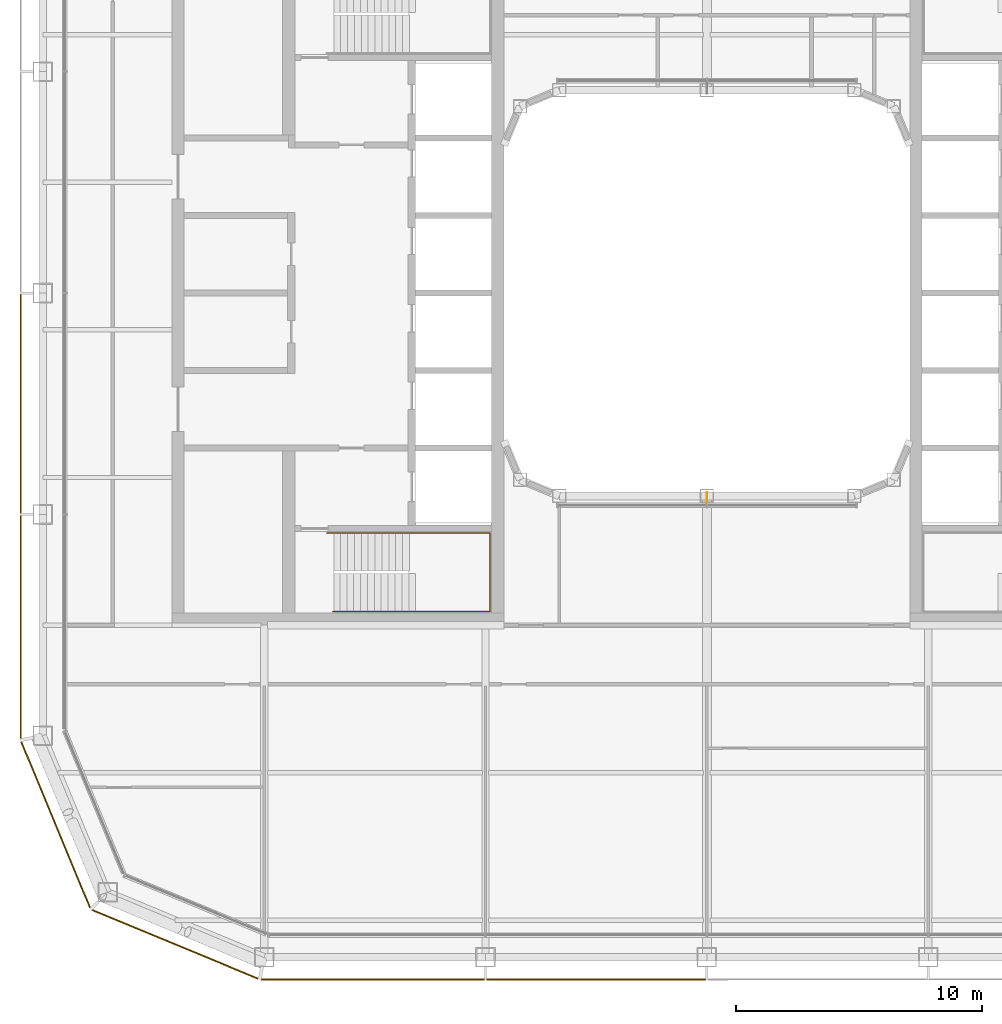
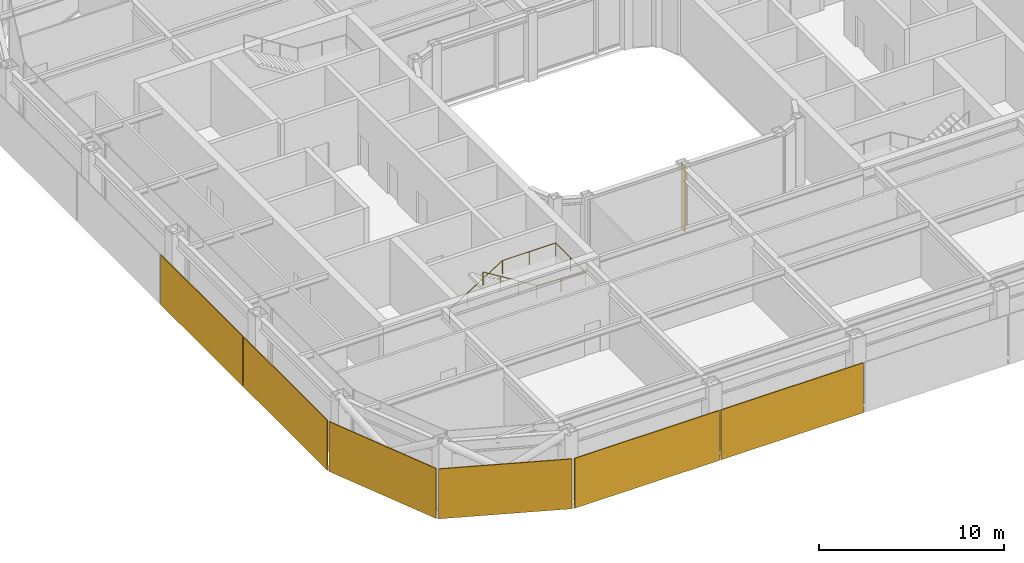
# One storey, part 16 of 19: 6 coverings, 1 railing, 1 shading device.
"""IFC4 building model written with IfcOpenShell, lengths in metres."""

import ifcopenshell
import ifcopenshell.guid

model = None  # the IFC model being written
_history = None  # IfcOwnerHistory: only IFC2X3 demands one
_inside = {}  # id of a spatial element -> (the spatial element, [elements in it])
_under = {}  # id of a project, library or spatial element -> (it, [spatial elements below it])
_declared = {}  # id of a project -> (the project, [libraries it declares])
_typed = {}  # id of a type object -> (the type object, [elements of that type])
_made_of = {}  # id of a material, layer set ... -> (it, [elements and type objects made of it])


def new_model(schema):
    """Start an empty IFC model of exactly this schema.

    Asked for "IFC4X3", IfcOpenShell would pick the latest addendum, in which some entities
    have other attributes; the version numbers below select the first issue.
    IFC2X3 requires an IfcOwnerHistory on every rooted entity: one is made here for all.
    """
    global model, _history
    if schema == "IFC4X3":
        model = ifcopenshell.file(schema_version=(4, 3, 0, 0))
    else:
        model = ifcopenshell.file(schema=schema)
    _inside.clear()
    _under.clear()
    _declared.clear()
    _typed.clear()
    _made_of.clear()
    _history = None
    if model.schema == "IFC2X3":
        org = make("IfcOrganization", Name="unknown")
        user = make(
            "IfcPersonAndOrganization",
            ThePerson=make("IfcPerson", FamilyName="unknown"),
            TheOrganization=org,
        )
        app = make(
            "IfcApplication",
            ApplicationDeveloper=org,
            Version="unknown",
            ApplicationFullName="unknown",
            ApplicationIdentifier="unknown",
        )
        _history = make(
            "IfcOwnerHistory",
            OwningUser=user,
            OwningApplication=app,
            ChangeAction="ADDED",
            CreationDate=0,
        )
    return model


def make(cls, **values):
    """One entity of the class cls with the attributes given. An attribute that is None is left unset."""
    return model.create_entity(
        cls, **{name: value for name, value in values.items() if value is not None}
    )


def rooted(cls, **values):
    """An entity with a GlobalId (a new one), such as an element, a storey or a relation."""
    return make(cls, GlobalId=ifcopenshell.guid.new(), OwnerHistory=_history, **values)


def si_unit(unit_type, name, prefix=None):
    """IfcSIUnit, for example si_unit("LENGTHUNIT", "METRE", prefix="MILLI")."""
    return make("IfcSIUnit", UnitType=unit_type, Prefix=prefix, Name=name)


def assignment(units):
    """IfcUnitAssignment: the units of a project."""
    return None if units is None else make("IfcUnitAssignment", Units=units)


def point(xyz):
    """IfcCartesianPoint."""
    return None if xyz is None else make("IfcCartesianPoint", Coordinates=xyz)


def direction(xyz):
    """IfcDirection."""
    return None if xyz is None else make("IfcDirection", DirectionRatios=xyz)


def frame(location, z_axis=None, x_axis=None):
    """IfcAxis2Placement3D, a coordinate frame: its origin and axes. An axis left out is left unset."""
    return make(
        "IfcAxis2Placement3D",
        Location=point(location),
        Axis=direction(z_axis),
        RefDirection=direction(x_axis),
    )


def frame_2d(location, x_axis=None):
    """IfcAxis2Placement2D, a coordinate frame in the plane: its origin and x axis."""
    return make(
        "IfcAxis2Placement2D", Location=point(location), RefDirection=direction(x_axis)
    )


def origin():
    """The frame at (0, 0, 0) with its axes left unset."""
    return frame((0.0, 0.0, 0.0))


def origin_2d():
    """The frame at (0, 0) in the plane with its x axis left unset."""
    return frame_2d((0.0, 0.0))


def place(relative_to, where):
    """IfcLocalPlacement: puts the frame where relative to a parent placement (None: the world)."""
    return make(
        "IfcLocalPlacement", PlacementRelTo=relative_to, RelativePlacement=where
    )


def context(
    kind, dimensions, precision=None, world=None, true_north=None, identifier=None
):
    """IfcGeometricRepresentationContext, for example the 3D "Model" context."""
    return make(
        "IfcGeometricRepresentationContext",
        ContextIdentifier=identifier,
        ContextType=kind,
        CoordinateSpaceDimension=dimensions,
        Precision=precision,
        WorldCoordinateSystem=world,
        TrueNorth=true_north,
    )


def subcontext(parent, identifier, kind, view, scale=None):
    """IfcGeometricRepresentationSubContext, for example "Body" below "Model"."""
    return make(
        "IfcGeometricRepresentationSubContext",
        ContextIdentifier=identifier,
        ContextType=kind,
        ParentContext=parent,
        TargetScale=scale,
        TargetView=view,
    )


def project(units=None, contexts=None):
    """IfcProject with its units and contexts."""
    return rooted(
        "IfcProject",
        Name="project",
        RepresentationContexts=contexts,
        UnitsInContext=assignment(units),
    )


def spatial(cls, under=None, at=None, **own):
    """A site, building, storey or space (cls), placed at a placement, below another one or the project."""
    s = rooted(cls, ObjectPlacement=at, **own)
    if under is not None:
        _under.setdefault(under.id(), (under, []))[1].append(s)
    return s


def profile(cls, at=None, kind="AREA", **sizes):
    """A parametric profile (cls). Its sizes go by their IFC names, for example OverallWidth=200.0."""
    return make(cls, ProfileType=kind, Position=at, **sizes)


def rectangle(**sizes):
    """IfcRectangleProfileDef."""
    return profile("IfcRectangleProfileDef", **sizes)


def circle(**sizes):
    """IfcCircleProfileDef."""
    return profile("IfcCircleProfileDef", **sizes)


def extrude(swept, where, along, depth):
    """IfcExtrudedAreaSolid: the profile swept, set in the frame where, extruded along a direction by depth."""
    return make(
        "IfcExtrudedAreaSolid",
        SweptArea=swept,
        Position=where,
        ExtrudedDirection=direction(along),
        Depth=depth,
    )


def shape(context_of_items, identifier, shape_type, items):
    """IfcShapeRepresentation: the items that make up one representation, for example the "Body"."""
    return make(
        "IfcShapeRepresentation",
        ContextOfItems=context_of_items,
        RepresentationIdentifier=identifier,
        RepresentationType=shape_type,
        Items=items,
    )


def material(Name=None, Category=None):
    """IfcMaterial."""
    return make("IfcMaterial", Name=Name, Category=Category)


def layer(
    of_material, thickness, ventilated=None, Name=None, Category=None, Priority=None
):
    """IfcMaterialLayer: one layer of a wall or slab, of a material (None: an air gap)."""
    return make(
        "IfcMaterialLayer",
        Material=of_material,
        LayerThickness=thickness,
        IsVentilated=ventilated,
        Name=Name,
        Category=Category,
        Priority=Priority,
    )


def layer_set(layers, Name=None):
    """IfcMaterialLayerSet."""
    return make("IfcMaterialLayerSet", MaterialLayers=layers, LayerSetName=Name)


def made_of(thing, what):
    """Note that an element or type object is made of a material, layer set ...; save() writes the relation."""
    if what is not None:
        _made_of.setdefault(what.id(), (what, []))[1].append(thing)
    return thing


def type_object(cls, material=None, **own):
    """A type object (cls), such as IfcWallType, which elements share."""
    return made_of(rooted(cls, **own), material)


def element(
    cls,
    number,
    at=None,
    inside=None,
    cuts=None,
    type_object=None,
    material=None,
    context=None,
    identifier="Body",
    shape_type=None,
    held_by="IfcProductDefinitionShape",
    body=None,
    shapes=None,
    **own,
):
    """One element of the class cls, such as IfcWall. Its Tag is "e" and its number.

    at: its placement. inside: the storey or other place that contains it. cuts: it is an
    opening in that element (IfcRelVoidsElement). A single representation is given by context,
    identifier, shape_type and body (its items); several are given by shapes. held_by: the class
    of the entity that holds the representations. save() writes the other relations.
    """
    e = rooted(cls, Tag="e%d" % number, ObjectPlacement=at, **own)
    if body is not None:
        shapes = [shape(context, identifier, shape_type, body)]
    if shapes is not None:
        e.Representation = make(held_by, Representations=shapes)
    if inside is not None:
        _inside.setdefault(inside.id(), (inside, []))[1].append(e)
    if cuts is not None:
        rooted(
            "IfcRelVoidsElement", RelatingBuildingElement=cuts, RelatedOpeningElement=e
        )
    if type_object is not None:
        _typed.setdefault(type_object.id(), (type_object, []))[1].append(e)
    return made_of(e, material)


def aggregate(whole, parts):
    """IfcRelAggregates: a whole, such as a stair, and the parts it consists of."""
    return rooted("IfcRelAggregates", RelatingObject=whole, RelatedObjects=parts)


def save(model, path):
    """Write the relations noted so far, then the file.

    IfcRelAggregates (storeys below a building ...), IfcRelContainedInSpatialStructure (elements
    in a storey), IfcRelDefinesByType, IfcRelAssociatesMaterial and IfcRelDeclares: one each for
    every whole, place, type object, material and project.
    """
    for whole, parts in _under.values():
        aggregate(whole, parts)
    for where, things in _inside.values():
        rooted(
            "IfcRelContainedInSpatialStructure",
            RelatedElements=things,
            RelatingStructure=where,
        )
    for kind, things in _typed.values():
        rooted("IfcRelDefinesByType", RelatedObjects=things, RelatingType=kind)
    for what, things in _made_of.values():
        rooted("IfcRelAssociatesMaterial", RelatedObjects=things, RelatingMaterial=what)
    for by, libraries in _declared.values():
        rooted("IfcRelDeclares", RelatingContext=by, RelatedDefinitions=libraries)
    model.write(path)


model = new_model("IFC4")

# Units and contexts
model_context = context("Model", 3, precision=1e-05, world=origin(), true_north=direction((0.0, 1.0)))
body_context = subcontext(model_context, "Body", "Model", "MODEL_VIEW")
ifc_project = project(units=[si_unit("LENGTHUNIT", "METRE"), si_unit("AREAUNIT", "SQUARE_METRE"), si_unit("VOLUMEUNIT", "CUBIC_METRE"), si_unit("PLANEANGLEUNIT", "RADIAN"), si_unit("MASSUNIT", "GRAM", prefix="KILO")], contexts=[model_context])

# Site, building, storey
site_placement = place(None, origin())
site = spatial("IfcSite", under=ifc_project, at=site_placement, CompositionType="ELEMENT")
building_placement = place(site_placement, origin())
building = spatial("IfcBuilding", under=site, at=building_placement, Name="Siwar Civic Tower", CompositionType="ELEMENT")
storey_placement = place(building_placement, frame((0.0, 0.0, 246.699951171875)))
storey = spatial("IfcBuildingStorey", under=building, at=storey_placement, Name="L53", CompositionType="ELEMENT", Elevation=246.699951171875)

# Railing
ifc_material_1 = material(Name="Stainless steel", Category="steel")
railing_type = type_object("IfcRailingType", Name="CORE-STAIR-HANDRAIL", PredefinedType="HANDRAIL", material=ifc_material_1)
railing_placement = place(storey_placement, frame((-15.449951171875, -9.758056640625, 0.173095703125)))
element("IfcRailing", 1, at=railing_placement, inside=storey, type_object=railing_type, Name="Stair handrail ST2", PredefinedType="HANDRAIL", context=body_context, shape_type="SweptSolid", body=[
    extrude(circle(Radius=0.02001953125, at=origin_2d()), frame((0.0, 0.0, 0.8798828125), z_axis=(0.847063342986, 0.0, 0.531491950051), x_axis=(0.0, 1.0, 0.0)), (0.0, 0.0, 1.0), 3.90771484375),
    extrude(circle(Radius=0.02001953125, at=origin_2d()), frame((3.31005859375, 0.0, 2.956787109375), z_axis=(1.0, 0.0, 0.0), x_axis=(0.0, 1.0, 0.0)), (0.0, 0.0, 1.0), 3.331787109375),
    extrude(circle(Radius=0.02001953125, at=origin_2d()), frame((6.641845703125, 0.0, 2.956787109375), z_axis=(0.0, -1.0, 0.0), x_axis=(1.0, 0.0, 0.0)), (0.0, 0.0, 1.0), 3.183837890625),
    extrude(circle(Radius=0.02001953125, at=origin_2d()), frame((6.641845703125, -3.183837890625, 2.956787109375), z_axis=(-0.99837434197, 0.0, 0.056997134106), x_axis=(0.0, -1.0, 0.0)), (0.0, 0.0, 1.0), 3.036865234375),
    extrude(circle(Radius=0.02001953125, at=origin_2d()), frame((3.60986328125, -3.183837890625, 3.1298828125), z_axis=(-0.850606129759, 0.0, 0.525803396734), x_axis=(0.0, -1.0, 0.0)), (0.0, 0.0, 1.0), 3.949951171875),
    extrude(circle(Radius=0.02001953125, at=origin_2d()), origin(), (0.0, 0.0, 1.0), 0.85986328125),
    extrude(circle(Radius=0.02001953125, at=origin_2d()), frame((1.103271484375, 0.0, 0.6923828125)), (0.0, 0.0, 1.0), 0.85986328125),
    extrude(circle(Radius=0.02001953125, at=origin_2d()), frame((2.206787109375, 0.0, 1.384521484375)), (0.0, 0.0, 1.0), 0.85986328125),
    extrude(circle(Radius=0.02001953125, at=origin_2d()), frame((3.31005859375, 0.0, 2.076904296875)), (0.0, 0.0, 1.0), 0.85986328125),
    extrude(circle(Radius=0.02001953125, at=origin_2d()), frame((4.97607421875, 0.0, 2.076904296875)), (0.0, 0.0, 1.0), 0.85986328125),
    extrude(circle(Radius=0.02001953125, at=origin_2d()), frame((6.641845703125, 0.0, 2.076904296875)), (0.0, 0.0, 1.0), 0.85986328125),
    extrude(circle(Radius=0.02001953125, at=origin_2d()), frame((6.641845703125, -1.591796875, 2.076904296875)), (0.0, 0.0, 1.0), 0.85986328125),
    extrude(circle(Radius=0.02001953125, at=origin_2d()), frame((6.641845703125, -3.183837890625, 2.076904296875)), (0.0, 0.0, 1.0), 0.85986328125),
    extrude(circle(Radius=0.02001953125, at=origin_2d()), frame((5.1259765625, -3.183837890625, 2.16357421875)), (0.0, 0.0, 1.0), 0.85986328125),
    extrude(circle(Radius=0.02001953125, at=origin_2d()), frame((3.60986328125, -3.183837890625, 2.25)), (0.0, 0.0, 1.0), 0.85986328125),
    extrude(circle(Radius=0.02001953125, at=origin_2d()), frame((2.489990234375, -3.183837890625, 2.9423828125)), (0.0, 0.0, 1.0), 0.85986328125),
    extrude(circle(Radius=0.02001953125, at=origin_2d()), frame((1.369873046875, -3.183837890625, 3.634521484375)), (0.0, 0.0, 1.0), 0.85986328125),
    extrude(circle(Radius=0.02001953125, at=origin_2d()), frame((0.25, -3.183837890625, 4.326904296875)), (0.0, 0.0, 1.0), 0.85986328125),
])

# Shading device
ifc_material_2 = material(Name="Aluminium 6063-T6", Category="aluminium")
ifc_layer_1 = layer(ifc_material_2, 0.02001953125)
ifc_layer_set_1 = layer_set([ifc_layer_1], Name="Aluminium 6063-T6")
shading_device_type = type_object("IfcShadingDeviceType", Name="ENV-FIN", PredefinedType="JALOUSIE", material=ifc_layer_set_1)
shading_device_placement = place(storey_placement, frame((0.0, -8.320068359375, 0.0), z_axis=(0.0, 0.0, 1.0), x_axis=(1.0, 0.0, 0.0)))
element("IfcShadingDevice", 2, at=shading_device_placement, inside=storey, type_object=shading_device_type, Name="SUNSHADE fin WS 1", PredefinedType="JALOUSIE", context=body_context, shape_type="SweptSolid", body=[
    extrude(rectangle(XDim=0.02001953125, YDim=0.449951171875, at=origin_2d()), origin(), (0.0, 0.0, 1.0), 4.35009765625),
])

# Coverings
ifc_material_3 = material(Name="Perforated aluminium cassette, pale metal", Category="aluminium")
ifc_layer_2 = layer(ifc_material_3, 0.050048828125)
ifc_layer_set_2 = layer_set([ifc_layer_2], Name="Perforated aluminium cassette, pale metal")
covering_type_1 = type_object("IfcCoveringType", Name="ENV-OUTER SKIN OS-3", PredefinedType="CLADDING", material=ifc_layer_set_2)
covering_1_placement = place(storey_placement, frame((-27.89990234375, -4.5, -0.14990234375), z_axis=(0.0, 0.0, 1.0), x_axis=(0.0, -1.0, 0.0)))
element("IfcCovering", 3, at=covering_1_placement, inside=storey, type_object=covering_type_1, Name="OUTER SKIN OS-3 W 3", PredefinedType="CLADDING", context=body_context, shape_type="SweptSolid", body=[
    extrude(rectangle(XDim=8.89990234375, YDim=0.050048828125, at=origin_2d()), origin(), (0.0, 0.0, 1.0), 3.300048828125),
])
covering_2_placement = place(storey_placement, frame((-27.89990234375, -13.57958984375, -0.14990234375), z_axis=(0.0, 0.0, 1.0), x_axis=(0.0, -1.0, 0.0)))
element("IfcCovering", 4, at=covering_2_placement, inside=storey, type_object=covering_type_1, Name="OUTER SKIN OS-3 W 4", PredefinedType="CLADDING", context=body_context, shape_type="SweptSolid", body=[
    extrude(rectangle(XDim=9.05908203125, YDim=0.050048828125, at=origin_2d()), origin(), (0.0, 0.0, 1.0), 3.300048828125),
])
ifc_material_4 = material(Name="Perforated aluminium cassette, pale metal", Category="aluminium")
ifc_layer_3 = layer(ifc_material_4, 0.054931640625)
ifc_layer_set_3 = layer_set([ifc_layer_3], Name="Perforated aluminium cassette, pale metal")
covering_type_2 = type_object("IfcCoveringType", Name="ENV-OUTER SKIN OS-4", PredefinedType="CLADDING", material=ifc_layer_set_3)
covering_3_placement = place(storey_placement, frame((-13.57958984375, -27.89990234375, -0.14990234375), z_axis=(0.0, 0.0, 1.0), x_axis=(1.0, 0.0, 0.0)))
element("IfcCovering", 5, at=covering_3_placement, inside=storey, type_object=covering_type_2, Name="OUTER SKIN OS-4 S 1", PredefinedType="CLADDING", context=body_context, shape_type="SweptSolid", body=[
    extrude(rectangle(XDim=9.05908203125, YDim=0.054931640625, at=origin_2d()), origin(), (0.0, 0.0, 1.0), 3.300048828125),
])
covering_4_placement = place(storey_placement, frame((-4.5, -27.89990234375, -0.14990234375), z_axis=(0.0, 0.0, 1.0), x_axis=(1.0, 0.0, 0.0)))
element("IfcCovering", 6, at=covering_4_placement, inside=storey, type_object=covering_type_2, Name="OUTER SKIN OS-4 S 2", PredefinedType="CLADDING", context=body_context, shape_type="SweptSolid", body=[
    extrude(rectangle(XDim=8.89990234375, YDim=0.054931640625, at=origin_2d()), origin(), (0.0, 0.0, 1.0), 3.300048828125),
])
for number, where, z_axis, x_axis, name in (
    (7, (-26.476318359375, -21.615966796875, -0.14990234375), (0.0, 0.0, 1.0), (0.382683432365, -0.923879532511, 0.0), "OUTER SKIN OS-4 SW1 1"),
    (8, (-21.615966796875, -26.476318359375, -0.14990234375), (0.0, 0.0, 1.0), (0.923879532511, -0.382683432365, 0.0), "OUTER SKIN OS-4 SW2 1"),
):
    element("IfcCovering", number, at=place(storey_placement, frame(where, z_axis=z_axis, x_axis=x_axis)), inside=storey, type_object=covering_type_2, Name=name, PredefinedType="CLADDING", context=body_context, shape_type="SweptSolid", body=[
        extrude(rectangle(XDim=7.300048828125, YDim=0.054931640625, at=origin_2d()), origin(), (0.0, 0.0, 1.0), 3.300048828125),
    ])

save(model, "model.ifc")
